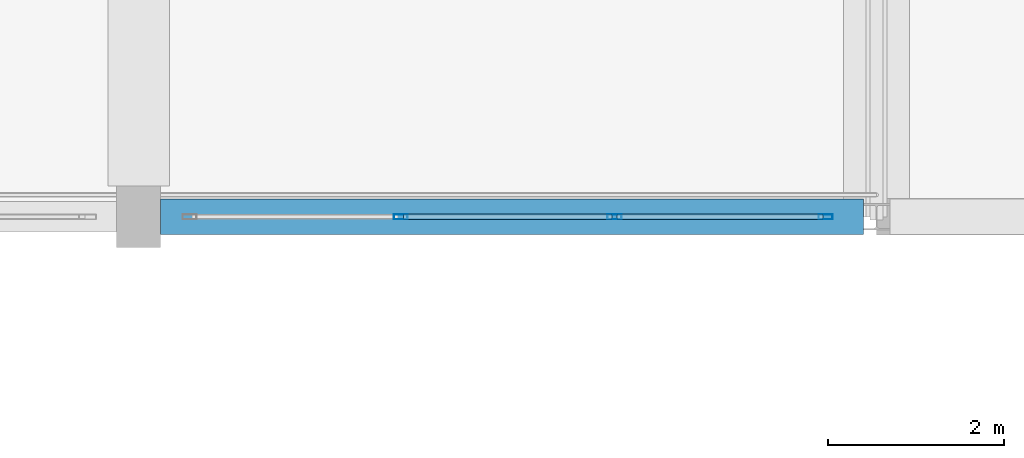
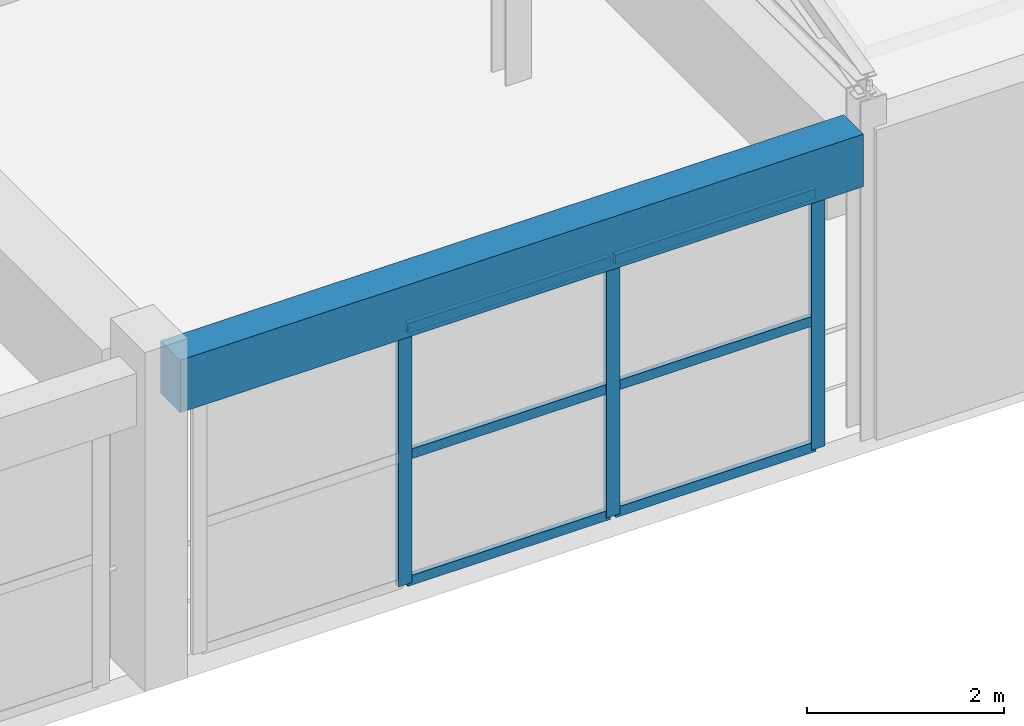
# One storey, part 24 of 74: 9 members, 1 beam, 1 element without a shape of its own.
"""IFC4 building model written with IfcOpenShell, lengths in metres."""

from ifc_helpers import new_model, si_unit, direction, frame, origin, origin_2d, place, context, subcontext, project, spatial, rectangle, hollow_rectangle, extrude, material, material_profile, profile_set, type_object, element, aggregate, save


model = new_model("IFC4")

# Units and contexts
model_context = context("Model", 3, precision=1e-05, world=origin(), true_north=direction((0.0, 1.0)))
body_context = subcontext(model_context, "Body", "Model", "MODEL_VIEW")
ifc_project = project(units=[si_unit("LENGTHUNIT", "METRE"), si_unit("AREAUNIT", "SQUARE_METRE"), si_unit("VOLUMEUNIT", "CUBIC_METRE"), si_unit("PLANEANGLEUNIT", "RADIAN"), si_unit("MASSUNIT", "GRAM", prefix="KILO")], contexts=[model_context])

# Site, building, storey
site_placement = place(None, origin())
site = spatial("IfcSite", under=ifc_project, at=site_placement, CompositionType="ELEMENT")
building_placement = place(site_placement, origin())
building = spatial("IfcBuilding", under=site, at=building_placement, Name="Korsvaeld Concert Hall", CompositionType="ELEMENT")
storey_placement = place(building_placement, frame((0.0, 0.0, 9.0)))
storey = spatial("IfcBuildingStorey", under=building, at=storey_placement, Name="L02", CompositionType="ELEMENT", Elevation=9.0)

# Beam
ifc_material_1 = material(Name="Concrete C35/45", Category="concrete")
ifc_material_profile_1 = material_profile(ifc_material_1, rectangle(XDim=0.39990234375, YDim=0.64990234375, at=origin_2d()), Name="RC 400x650")
ifc_profile_set_1 = profile_set([ifc_material_profile_1], Name="Concrete C35/45")
beam_type = type_object("IfcBeamType", Name="BM-RC-400x650", PredefinedType="T_BEAM", material=ifc_profile_set_1)
beam_placement = place(storey_placement, frame((101.050048828125, 28.800048828125, 3.514892578125), z_axis=(1.0, 0.0, 0.0), x_axis=(0.0, 1.0, 0.0)))
element("IfcBeam", 1, at=beam_placement, inside=storey, type_object=beam_type, Name="Primary girder 14-15/E L02", PredefinedType="T_BEAM", context=body_context, shape_type="SweptSolid", body=[
    extrude(rectangle(XDim=0.39990234375, YDim=0.64990234375, at=origin_2d()), origin(), (0.0, 0.0, 1.0), 8.0),
])

# Curtain wall, members
ifc_material_2 = material(Name="Anodised bronze and ceramic-fritted safety glass", Category="glass")
curtain_wall_type = type_object("IfcCurtainWallType", Name="CW-TYPE-13", PredefinedType="USERDEFINED", material=ifc_material_2)
curtain_wall_placement = place(storey_placement, origin())
curtain_wall = element("IfcCurtainWall", 2, at=curtain_wall_placement, inside=storey, type_object=curtain_wall_type, Name="Wintergarden foyer curtain wall L02-13", ObjectType="CURTAIN WALL", PredefinedType="USERDEFINED")
ifc_material_3 = material(Name="Anodised architectural bronze aluminium", Category="aluminium")
ifc_material_profile_2 = material_profile(ifc_material_3, hollow_rectangle(XDim=0.06005859375, YDim=0.159912109375, WallThickness=0.00390625, at=origin_2d()), Name="CWM 160x60x4")
ifc_profile_set_2 = profile_set([ifc_material_profile_2], Name="Anodised architectural bronze aluminium")
member_type_1 = type_object("IfcMemberType", Name="CWM-ALUM-160x60", PredefinedType="MULLION", material=ifc_profile_set_2)
member_1_placement = place(storey_placement, frame((108.6201171875, 28.800048828125, 0.0), z_axis=(0.0, 0.0, 1.0), x_axis=(0.0, -1.0, 0.0)))
member_1 = element("IfcMember", 3, at=member_1_placement, type_object=member_type_1, Name="CW-13 mullion 1", PredefinedType="MULLION", context=body_context, shape_type="SweptSolid", body=[
    extrude(hollow_rectangle(XDim=0.06005859375, YDim=0.159912109375, WallThickness=0.00390625, at=origin_2d()), origin(), (0.0, 0.0, 1.0), 3.18994140625),
])
member_2_placement = place(storey_placement, frame((106.216552734375, 28.800048828125, 0.0), z_axis=(0.0, 0.0, 1.0), x_axis=(0.0, -1.0, 0.0)))
member_2 = element("IfcMember", 4, at=member_2_placement, type_object=member_type_1, Name="CW-13 mullion 2", PredefinedType="MULLION", context=body_context, shape_type="SweptSolid", body=[
    extrude(hollow_rectangle(XDim=0.06005859375, YDim=0.159912109375, WallThickness=0.00390625, at=origin_2d()), origin(), (0.0, 0.0, 1.0), 3.18994140625),
])
member_3_placement = place(storey_placement, frame((103.783447265625, 28.800048828125, 0.0), z_axis=(0.0, 0.0, 1.0), x_axis=(0.0, -1.0, 0.0)))
member_3 = element("IfcMember", 5, at=member_3_placement, type_object=member_type_1, Name="CW-13 mullion 3", PredefinedType="MULLION", context=body_context, shape_type="SweptSolid", body=[
    extrude(hollow_rectangle(XDim=0.06005859375, YDim=0.159912109375, WallThickness=0.00390625, at=origin_2d()), origin(), (0.0, 0.0, 1.0), 3.18994140625),
])
ifc_material_profile_3 = material_profile(ifc_material_3, hollow_rectangle(XDim=0.06005859375, YDim=0.1201171875, WallThickness=0.00390625, at=origin_2d()), Name="CWT 120x60x4")
ifc_profile_set_3 = profile_set([ifc_material_profile_3], Name="Anodised architectural bronze aluminium")
member_type_2 = type_object("IfcMemberType", Name="CWT-ALUM-120x60", PredefinedType="USERDEFINED", material=ifc_profile_set_3)
member_4_placement = place(storey_placement, frame((108.590087890625, 28.800048828125, 0.030029296875), z_axis=(-1.0, 0.0, 0.0), x_axis=(0.0, -1.0, 0.0)))
member_4 = element("IfcMember", 6, at=member_4_placement, type_object=member_type_2, Name="CW-13 transom 1.1", ObjectType="TRANSOM", PredefinedType="USERDEFINED", context=body_context, shape_type="SweptSolid", body=[
    extrude(hollow_rectangle(XDim=0.06005859375, YDim=0.1201171875, WallThickness=0.00390625, at=origin_2d()), origin(), (0.0, 0.0, 1.0), 2.343505859375),
])
member_5_placement = place(storey_placement, frame((108.590087890625, 28.800048828125, 1.594970703125), z_axis=(-1.0, 0.0, 0.0), x_axis=(0.0, -1.0, 0.0)))
member_5 = element("IfcMember", 7, at=member_5_placement, type_object=member_type_2, Name="CW-13 transom 1.2", ObjectType="TRANSOM", PredefinedType="USERDEFINED", context=body_context, shape_type="SweptSolid", body=[
    extrude(hollow_rectangle(XDim=0.06005859375, YDim=0.1201171875, WallThickness=0.00390625, at=origin_2d()), origin(), (0.0, 0.0, 1.0), 2.343505859375),
])
member_6_placement = place(storey_placement, frame((108.590087890625, 28.800048828125, 3.159912109375), z_axis=(-1.0, 0.0, 0.0), x_axis=(0.0, -1.0, 0.0)))
member_6 = element("IfcMember", 8, at=member_6_placement, type_object=member_type_2, Name="CW-13 transom 1.3", ObjectType="TRANSOM", PredefinedType="USERDEFINED", context=body_context, shape_type="SweptSolid", body=[
    extrude(hollow_rectangle(XDim=0.06005859375, YDim=0.1201171875, WallThickness=0.00390625, at=origin_2d()), origin(), (0.0, 0.0, 1.0), 2.343505859375),
])
member_7_placement = place(storey_placement, frame((106.186767578125, 28.800048828125, 0.030029296875), z_axis=(-1.0, 0.0, 0.0), x_axis=(0.0, -1.0, 0.0)))
member_7 = element("IfcMember", 9, at=member_7_placement, type_object=member_type_2, Name="CW-13 transom 2.1", ObjectType="TRANSOM", PredefinedType="USERDEFINED", context=body_context, shape_type="SweptSolid", body=[
    extrude(hollow_rectangle(XDim=0.06005859375, YDim=0.1201171875, WallThickness=0.00390625, at=origin_2d()), origin(), (0.0, 0.0, 1.0), 2.37353515625),
])
member_8_placement = place(storey_placement, frame((106.186767578125, 28.800048828125, 1.594970703125), z_axis=(-1.0, 0.0, 0.0), x_axis=(0.0, -1.0, 0.0)))
member_8 = element("IfcMember", 10, at=member_8_placement, type_object=member_type_2, Name="CW-13 transom 2.2", ObjectType="TRANSOM", PredefinedType="USERDEFINED", context=body_context, shape_type="SweptSolid", body=[
    extrude(hollow_rectangle(XDim=0.06005859375, YDim=0.1201171875, WallThickness=0.00390625, at=origin_2d()), origin(), (0.0, 0.0, 1.0), 2.37353515625),
])
member_9_placement = place(storey_placement, frame((106.186767578125, 28.800048828125, 3.159912109375), z_axis=(-1.0, 0.0, 0.0), x_axis=(0.0, -1.0, 0.0)))
member_9 = element("IfcMember", 11, at=member_9_placement, type_object=member_type_2, Name="CW-13 transom 2.3", ObjectType="TRANSOM", PredefinedType="USERDEFINED", context=body_context, shape_type="SweptSolid", body=[
    extrude(hollow_rectangle(XDim=0.06005859375, YDim=0.1201171875, WallThickness=0.00390625, at=origin_2d()), origin(), (0.0, 0.0, 1.0), 2.37353515625),
])
aggregate(curtain_wall, [member_1, member_2, member_3, member_4, member_5, member_6, member_7, member_8, member_9])

save(model, "model.ifc")
